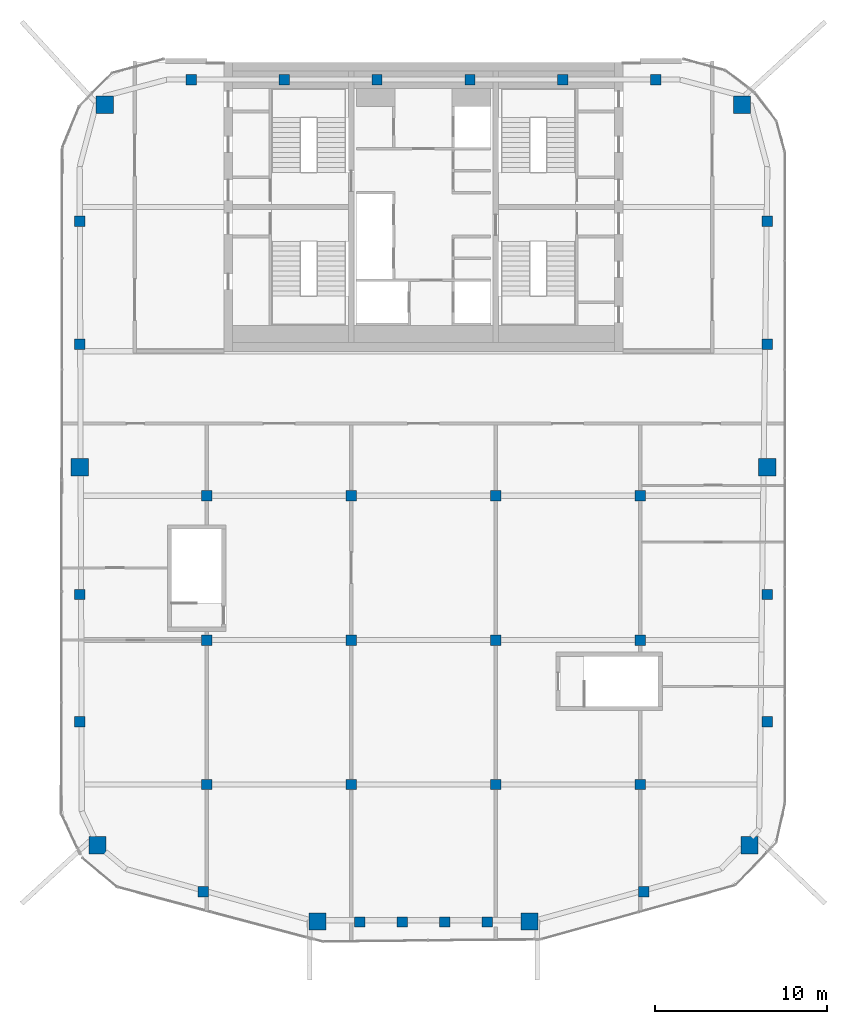
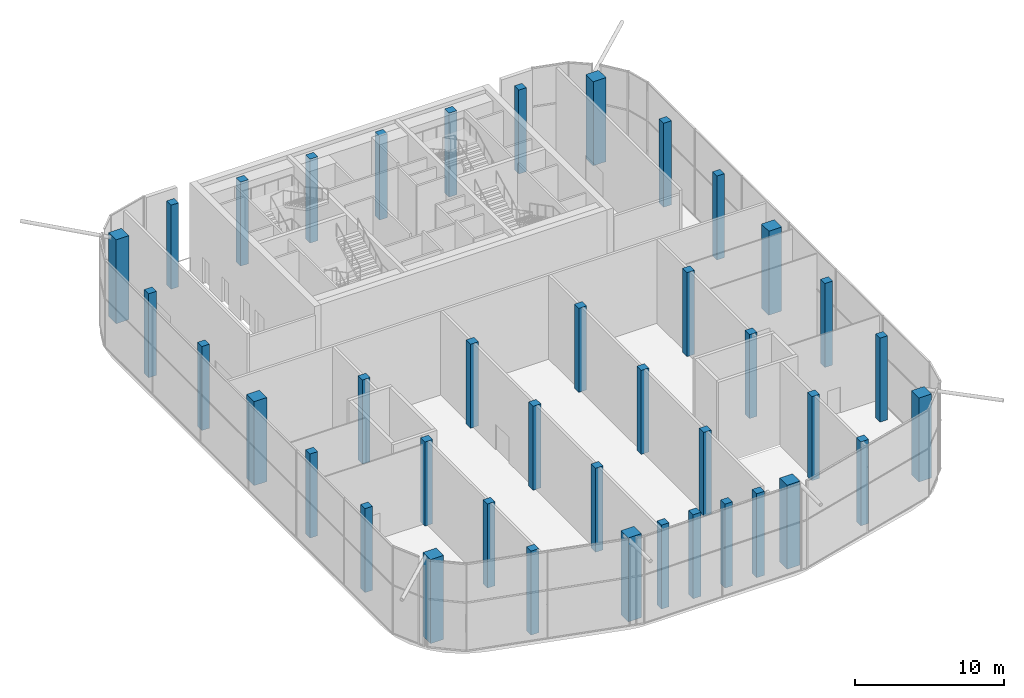
# One storey, part 1 of 23: 40 columns.
"""IFC4 building model written with IfcOpenShell, lengths in metres."""

import ifcopenshell
import ifcopenshell.guid

model = None  # the IFC model being written
_history = None  # IfcOwnerHistory: only IFC2X3 demands one
_inside = {}  # id of a spatial element -> (the spatial element, [elements in it])
_under = {}  # id of a project, library or spatial element -> (it, [spatial elements below it])
_declared = {}  # id of a project -> (the project, [libraries it declares])
_typed = {}  # id of a type object -> (the type object, [elements of that type])
_made_of = {}  # id of a material, layer set ... -> (it, [elements and type objects made of it])


def new_model(schema):
    """Start an empty IFC model of exactly this schema.

    Asked for "IFC4X3", IfcOpenShell would pick the latest addendum, in which some entities
    have other attributes; the version numbers below select the first issue.
    IFC2X3 requires an IfcOwnerHistory on every rooted entity: one is made here for all.
    """
    global model, _history
    if schema == "IFC4X3":
        model = ifcopenshell.file(schema_version=(4, 3, 0, 0))
    else:
        model = ifcopenshell.file(schema=schema)
    _inside.clear()
    _under.clear()
    _declared.clear()
    _typed.clear()
    _made_of.clear()
    _history = None
    if model.schema == "IFC2X3":
        org = make("IfcOrganization", Name="unknown")
        user = make(
            "IfcPersonAndOrganization",
            ThePerson=make("IfcPerson", FamilyName="unknown"),
            TheOrganization=org,
        )
        app = make(
            "IfcApplication",
            ApplicationDeveloper=org,
            Version="unknown",
            ApplicationFullName="unknown",
            ApplicationIdentifier="unknown",
        )
        _history = make(
            "IfcOwnerHistory",
            OwningUser=user,
            OwningApplication=app,
            ChangeAction="ADDED",
            CreationDate=0,
        )
    return model


def make(cls, **values):
    """One entity of the class cls with the attributes given. An attribute that is None is left unset."""
    return model.create_entity(
        cls, **{name: value for name, value in values.items() if value is not None}
    )


def rooted(cls, **values):
    """An entity with a GlobalId (a new one), such as an element, a storey or a relation."""
    return make(cls, GlobalId=ifcopenshell.guid.new(), OwnerHistory=_history, **values)


def si_unit(unit_type, name, prefix=None):
    """IfcSIUnit, for example si_unit("LENGTHUNIT", "METRE", prefix="MILLI")."""
    return make("IfcSIUnit", UnitType=unit_type, Prefix=prefix, Name=name)


def assignment(units):
    """IfcUnitAssignment: the units of a project."""
    return None if units is None else make("IfcUnitAssignment", Units=units)


def point(xyz):
    """IfcCartesianPoint."""
    return None if xyz is None else make("IfcCartesianPoint", Coordinates=xyz)


def direction(xyz):
    """IfcDirection."""
    return None if xyz is None else make("IfcDirection", DirectionRatios=xyz)


def frame(location, z_axis=None, x_axis=None):
    """IfcAxis2Placement3D, a coordinate frame: its origin and axes. An axis left out is left unset."""
    return make(
        "IfcAxis2Placement3D",
        Location=point(location),
        Axis=direction(z_axis),
        RefDirection=direction(x_axis),
    )


def frame_2d(location, x_axis=None):
    """IfcAxis2Placement2D, a coordinate frame in the plane: its origin and x axis."""
    return make(
        "IfcAxis2Placement2D", Location=point(location), RefDirection=direction(x_axis)
    )


def origin():
    """The frame at (0, 0, 0) with its axes left unset."""
    return frame((0.0, 0.0, 0.0))


def origin_2d():
    """The frame at (0, 0) in the plane with its x axis left unset."""
    return frame_2d((0.0, 0.0))


def place(relative_to, where):
    """IfcLocalPlacement: puts the frame where relative to a parent placement (None: the world)."""
    return make(
        "IfcLocalPlacement", PlacementRelTo=relative_to, RelativePlacement=where
    )


def context(
    kind, dimensions, precision=None, world=None, true_north=None, identifier=None
):
    """IfcGeometricRepresentationContext, for example the 3D "Model" context."""
    return make(
        "IfcGeometricRepresentationContext",
        ContextIdentifier=identifier,
        ContextType=kind,
        CoordinateSpaceDimension=dimensions,
        Precision=precision,
        WorldCoordinateSystem=world,
        TrueNorth=true_north,
    )


def subcontext(parent, identifier, kind, view, scale=None):
    """IfcGeometricRepresentationSubContext, for example "Body" below "Model"."""
    return make(
        "IfcGeometricRepresentationSubContext",
        ContextIdentifier=identifier,
        ContextType=kind,
        ParentContext=parent,
        TargetScale=scale,
        TargetView=view,
    )


def project(units=None, contexts=None):
    """IfcProject with its units and contexts."""
    return rooted(
        "IfcProject",
        Name="project",
        RepresentationContexts=contexts,
        UnitsInContext=assignment(units),
    )


def spatial(cls, under=None, at=None, **own):
    """A site, building, storey or space (cls), placed at a placement, below another one or the project."""
    s = rooted(cls, ObjectPlacement=at, **own)
    if under is not None:
        _under.setdefault(under.id(), (under, []))[1].append(s)
    return s


def profile(cls, at=None, kind="AREA", **sizes):
    """A parametric profile (cls). Its sizes go by their IFC names, for example OverallWidth=200.0."""
    return make(cls, ProfileType=kind, Position=at, **sizes)


def rectangle(**sizes):
    """IfcRectangleProfileDef."""
    return profile("IfcRectangleProfileDef", **sizes)


def extrude(swept, where, along, depth):
    """IfcExtrudedAreaSolid: the profile swept, set in the frame where, extruded along a direction by depth."""
    return make(
        "IfcExtrudedAreaSolid",
        SweptArea=swept,
        Position=where,
        ExtrudedDirection=direction(along),
        Depth=depth,
    )


def shape(context_of_items, identifier, shape_type, items):
    """IfcShapeRepresentation: the items that make up one representation, for example the "Body"."""
    return make(
        "IfcShapeRepresentation",
        ContextOfItems=context_of_items,
        RepresentationIdentifier=identifier,
        RepresentationType=shape_type,
        Items=items,
    )


def material(Name=None, Category=None):
    """IfcMaterial."""
    return make("IfcMaterial", Name=Name, Category=Category)


def material_profile(
    of_material, cross_section, Name=None, Category=None, Priority=None
):
    """IfcMaterialProfile: a cross section and its material."""
    return make(
        "IfcMaterialProfile",
        Name=Name,
        Material=of_material,
        Profile=cross_section,
        Priority=Priority,
        Category=Category,
    )


def profile_set(profiles, Name=None, composite=None):
    """IfcMaterialProfileSet."""
    return make(
        "IfcMaterialProfileSet",
        Name=Name,
        MaterialProfiles=profiles,
        CompositeProfile=composite,
    )


def made_of(thing, what):
    """Note that an element or type object is made of a material, layer set ...; save() writes the relation."""
    if what is not None:
        _made_of.setdefault(what.id(), (what, []))[1].append(thing)
    return thing


def type_object(cls, material=None, **own):
    """A type object (cls), such as IfcWallType, which elements share."""
    return made_of(rooted(cls, **own), material)


def element(
    cls,
    number,
    at=None,
    inside=None,
    cuts=None,
    type_object=None,
    material=None,
    context=None,
    identifier="Body",
    shape_type=None,
    held_by="IfcProductDefinitionShape",
    body=None,
    shapes=None,
    **own,
):
    """One element of the class cls, such as IfcWall. Its Tag is "e" and its number.

    at: its placement. inside: the storey or other place that contains it. cuts: it is an
    opening in that element (IfcRelVoidsElement). A single representation is given by context,
    identifier, shape_type and body (its items); several are given by shapes. held_by: the class
    of the entity that holds the representations. save() writes the other relations.
    """
    e = rooted(cls, Tag="e%d" % number, ObjectPlacement=at, **own)
    if body is not None:
        shapes = [shape(context, identifier, shape_type, body)]
    if shapes is not None:
        e.Representation = make(held_by, Representations=shapes)
    if inside is not None:
        _inside.setdefault(inside.id(), (inside, []))[1].append(e)
    if cuts is not None:
        rooted(
            "IfcRelVoidsElement", RelatingBuildingElement=cuts, RelatedOpeningElement=e
        )
    if type_object is not None:
        _typed.setdefault(type_object.id(), (type_object, []))[1].append(e)
    return made_of(e, material)


def aggregate(whole, parts):
    """IfcRelAggregates: a whole, such as a stair, and the parts it consists of."""
    return rooted("IfcRelAggregates", RelatingObject=whole, RelatedObjects=parts)


def save(model, path):
    """Write the relations noted so far, then the file.

    IfcRelAggregates (storeys below a building ...), IfcRelContainedInSpatialStructure (elements
    in a storey), IfcRelDefinesByType, IfcRelAssociatesMaterial and IfcRelDeclares: one each for
    every whole, place, type object, material and project.
    """
    for whole, parts in _under.values():
        aggregate(whole, parts)
    for where, things in _inside.values():
        rooted(
            "IfcRelContainedInSpatialStructure",
            RelatedElements=things,
            RelatingStructure=where,
        )
    for kind, things in _typed.values():
        rooted("IfcRelDefinesByType", RelatedObjects=things, RelatingType=kind)
    for what, things in _made_of.values():
        rooted("IfcRelAssociatesMaterial", RelatedObjects=things, RelatingMaterial=what)
    for by, libraries in _declared.values():
        rooted("IfcRelDeclares", RelatingContext=by, RelatedDefinitions=libraries)
    model.write(path)


model = new_model("IFC4")

# Units and contexts
model_context = context("Model", 3, precision=1e-05, world=origin(), true_north=direction((0.0, 1.0)))
body_context = subcontext(model_context, "Body", "Model", "MODEL_VIEW")
ifc_project = project(units=[si_unit("LENGTHUNIT", "METRE"), si_unit("AREAUNIT", "SQUARE_METRE"), si_unit("VOLUMEUNIT", "CUBIC_METRE"), si_unit("PLANEANGLEUNIT", "RADIAN"), si_unit("MASSUNIT", "GRAM", prefix="KILO")], contexts=[model_context])

# Site, building, storey
site_placement = place(None, origin())
site = spatial("IfcSite", under=ifc_project, at=site_placement, CompositionType="ELEMENT")
building_placement = place(site_placement, origin())
building = spatial("IfcBuilding", under=site, at=building_placement, Name="Marenta Gate Hotel Tower", CompositionType="ELEMENT")
storey_placement = place(building_placement, frame((0.0, 0.0, 288.5)))
storey = spatial("IfcBuildingStorey", under=building, at=storey_placement, Name="L66", CompositionType="ELEMENT", Elevation=288.5)

# Columns
ifc_material_1 = material(Name="Concrete C50", Category="concrete")
ifc_material_profile_1 = material_profile(ifc_material_1, rectangle(XDim=0.60009765625, YDim=0.60009765625, at=origin_2d()), Name="600 x 600")
ifc_profile_set_1 = profile_set([ifc_material_profile_1], Name="Concrete C50")
column_type_1 = type_object("IfcColumnType", Name="Edge column 600 x 600 C50", PredefinedType="COLUMN", material=ifc_profile_set_1)
for number, where, z_axis, x_axis, name in (
    (1, (-20.0, -21.552001953125, 0.0), (0.0, 0.0, 1.0), (1.0, 0.0, 0.0), "L66-EC-SW-W-1"),
    (2, (-20.0, -14.15087890625, 0.0), (0.0, 0.0, 1.0), (1.0, 0.0, 0.0), "L66-EC-SW-W-2"),
    (3, (-20.0, 0.4033203125, 0.0), (0.0, 0.0, 1.0), (1.0, 0.0, 0.0), "L66-EC-W-NW-1"),
    (4, (-20.0, 7.556396484375, 0.0), (0.0, 0.0, 1.0), (1.0, 0.0, 0.0), "L66-EC-W-NW-2"),
    (5, (-13.5068359375, 15.800048828125, 0.0), (0.0, 0.0, 1.0), (1.0, 0.0, 0.0), "L66-EC-NW-NE-1"),
    (6, (-8.10400390625, 15.800048828125, 0.0), (0.0, 0.0, 1.0), (1.0, 0.0, 0.0), "L66-EC-NW-NE-2"),
    (7, (-2.701416015625, 15.800048828125, 0.0), (0.0, 0.0, 1.0), (1.0, 0.0, 0.0), "L66-EC-NW-NE-3"),
    (8, (2.701416015625, 15.800048828125, 0.0), (0.0, 0.0, 1.0), (1.0, 0.0, 0.0), "L66-EC-NW-NE-4"),
    (9, (8.10400390625, 15.800048828125, 0.0), (0.0, 0.0, 1.0), (1.0, 0.0, 0.0), "L66-EC-NW-NE-5"),
    (10, (13.5068359375, 15.800048828125, 0.0), (0.0, 0.0, 1.0), (1.0, 0.0, 0.0), "L66-EC-NW-NE-6"),
    (11, (20.0, 7.556396484375, 0.0), (0.0, 0.0, 1.0), (1.0, 0.0, 0.0), "L66-EC-NE-E-1"),
    (12, (20.0, 0.4033203125, 0.0), (0.0, 0.0, 1.0), (1.0, 0.0, 0.0), "L66-EC-NE-E-2"),
    (13, (20.0, -14.15087890625, 0.0), (0.0, 0.0, 1.0), (1.0, 0.0, 0.0), "L66-EC-E-SE-1"),
    (14, (20.0, -21.552001953125, 0.0), (0.0, 0.0, 1.0), (1.0, 0.0, 0.0), "L66-EC-E-SE-2"),
    (15, (12.806884765625, -31.439208984375, 0.0), (0.0, 0.0, 1.0), (1.0, 0.0, 0.0), "L66-EC-SE-SKE-1"),
    (16, (3.7001953125, -33.199951171875, 0.0), (0.0, 0.0, 1.0), (1.0, 0.0, 0.0), "L66-EC-SKE-SKW-1"),
    (17, (1.2333984375, -33.199951171875, 0.0), (0.0, 0.0, 1.0), (1.0, 0.0, 0.0), "L66-EC-SKE-SKW-2"),
    (18, (-1.2333984375, -33.199951171875, 0.0), (0.0, 0.0, 1.0), (1.0, 0.0, 0.0), "L66-EC-SKE-SKW-3"),
    (19, (-3.7001953125, -33.199951171875, 0.0), (0.0, 0.0, 1.0), (1.0, 0.0, 0.0), "L66-EC-SKE-SKW-4"),
    (20, (-12.806884765625, -31.439208984375, 0.0), (0.0, 0.0, 1.0), (1.0, 0.0, 0.0), "L66-EC-SKW-SW-1"),
):
    element("IfcColumn", number, at=place(storey_placement, frame(where, z_axis=z_axis, x_axis=x_axis)), inside=storey, type_object=column_type_1, Name=name, PredefinedType="COLUMN", context=body_context, shape_type="SweptSolid", body=[
        extrude(rectangle(XDim=0.60009765625, YDim=0.60009765625, at=origin_2d()), origin(), (0.0, 0.0, 1.0), 6.89990234375),
    ])
ifc_material_2 = material(Name="Concrete C50", Category="concrete")
ifc_material_profile_2 = material_profile(ifc_material_2, rectangle(XDim=0.60009765625, YDim=0.60009765625, at=origin_2d()), Name="600 x 600")
ifc_profile_set_2 = profile_set([ifc_material_profile_2], Name="Concrete C50")
column_type_2 = type_object("IfcColumnType", Name="Interior column 600 x 600 C50", PredefinedType="COLUMN", material=ifc_profile_set_2)
for number, where, z_axis, x_axis, name in (
    (21, (-12.60009765625, -25.199951171875, 0.0), (0.0, 0.0, 1.0), (1.0, 0.0, 0.0), "L66-IC-5C"),
    (22, (-12.60009765625, -16.800048828125, 0.0), (0.0, 0.0, 1.0), (1.0, 0.0, 0.0), "L66-IC-5D"),
    (23, (-12.60009765625, -8.39990234375, 0.0), (0.0, 0.0, 1.0), (1.0, 0.0, 0.0), "L66-IC-5E"),
    (24, (-4.199951171875, -25.199951171875, 0.0), (0.0, 0.0, 1.0), (1.0, 0.0, 0.0), "L66-IC-6C"),
    (25, (-4.199951171875, -16.800048828125, 0.0), (0.0, 0.0, 1.0), (1.0, 0.0, 0.0), "L66-IC-6D"),
    (26, (-4.199951171875, -8.39990234375, 0.0), (0.0, 0.0, 1.0), (1.0, 0.0, 0.0), "L66-IC-6E"),
    (27, (4.199951171875, -25.199951171875, 0.0), (0.0, 0.0, 1.0), (1.0, 0.0, 0.0), "L66-IC-7C"),
    (28, (4.199951171875, -16.800048828125, 0.0), (0.0, 0.0, 1.0), (1.0, 0.0, 0.0), "L66-IC-7D"),
    (29, (4.199951171875, -8.39990234375, 0.0), (0.0, 0.0, 1.0), (1.0, 0.0, 0.0), "L66-IC-7E"),
    (30, (12.60009765625, -25.199951171875, 0.0), (0.0, 0.0, 1.0), (1.0, 0.0, 0.0), "L66-IC-8C"),
    (31, (12.60009765625, -16.800048828125, 0.0), (0.0, 0.0, 1.0), (1.0, 0.0, 0.0), "L66-IC-8D"),
    (32, (12.60009765625, -8.39990234375, 0.0), (0.0, 0.0, 1.0), (1.0, 0.0, 0.0), "L66-IC-8E"),
):
    element("IfcColumn", number, at=place(storey_placement, frame(where, z_axis=z_axis, x_axis=x_axis)), inside=storey, type_object=column_type_2, Name=name, PredefinedType="COLUMN", context=body_context, shape_type="SweptSolid", body=[
        extrude(rectangle(XDim=0.60009765625, YDim=0.60009765625, at=origin_2d()), origin(), (0.0, 0.0, 1.0), 6.89990234375),
    ])
ifc_material_3 = material(Name="Concrete C50", Category="concrete")
ifc_material_profile_3 = material_profile(ifc_material_3, rectangle(XDim=1.0, YDim=1.0, at=origin_2d()), Name="1000 x 1000")
ifc_profile_set_3 = profile_set([ifc_material_profile_3], Name="Concrete C50")
column_type_3 = type_object("IfcColumnType", Name="Mega column 1000 x 1000 C50", PredefinedType="COLUMN", material=ifc_profile_set_3)
for number, where, z_axis, x_axis, name in (
    (33, (-18.962890625, -28.73291015625, 0.0), (0.0, 0.0, 1.0), (1.0, 0.0, 0.0), "L66-MC-SW"),
    (34, (-6.166259765625, -33.1748046875, 0.0), (0.0, 0.0, 1.0), (1.0, 0.0, 0.0), "L66-MC-SKW"),
    (35, (6.166259765625, -33.1748046875, 0.0), (0.0, 0.0, 1.0), (1.0, 0.0, 0.0), "L66-MC-SKE"),
    (36, (18.962890625, -28.73291015625, 0.0), (0.0, 0.0, 1.0), (1.0, 0.0, 0.0), "L66-MC-SE"),
    (37, (20.0, -6.75, 0.0), (0.0, 0.0, 1.0), (1.0, 0.0, 0.0), "L66-MC-E"),
    (38, (18.535400390625, 14.33544921875, 0.0), (0.0, 0.0, 1.0), (1.0, 0.0, 0.0), "L66-MC-NE"),
    (39, (-18.535400390625, 14.33544921875, 0.0), (0.0, 0.0, 1.0), (1.0, 0.0, 0.0), "L66-MC-NW"),
    (40, (-20.0, -6.75, 0.0), (0.0, 0.0, 1.0), (1.0, 0.0, 0.0), "L66-MC-W"),
):
    element("IfcColumn", number, at=place(storey_placement, frame(where, z_axis=z_axis, x_axis=x_axis)), inside=storey, type_object=column_type_3, Name=name, PredefinedType="COLUMN", context=body_context, shape_type="SweptSolid", body=[
        extrude(rectangle(XDim=1.0, YDim=1.0, at=origin_2d()), origin(), (0.0, 0.0, 1.0), 6.89990234375),
    ])

save(model, "model.ifc")
